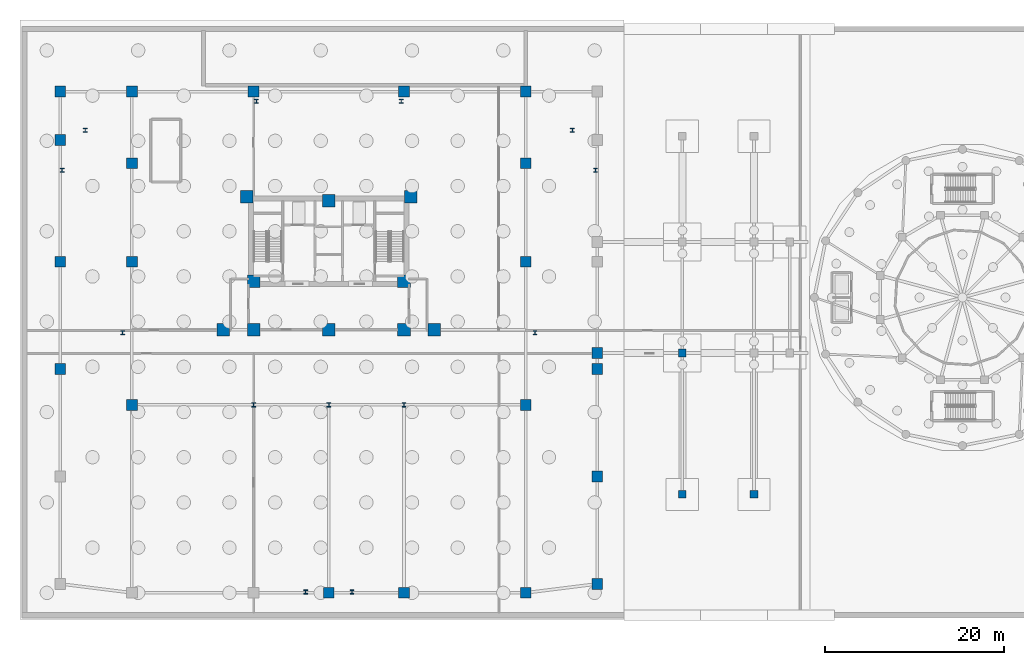
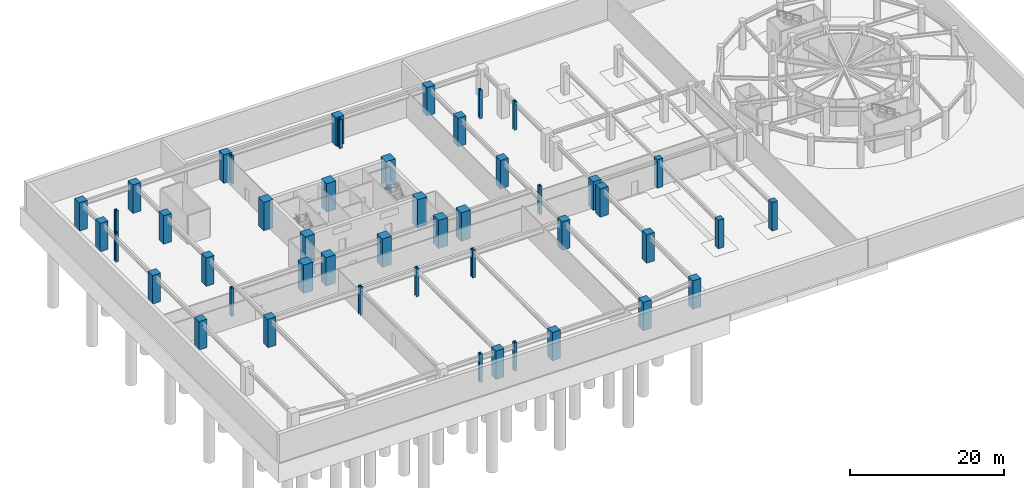
# One storey, part 3 of 15: 47 columns.
"""IFC4 building model written with IfcOpenShell, lengths in metres."""

from ifc_helpers import new_model, si_unit, derived_unit, direction, frame, origin, origin_2d, place, context, subcontext, project, spatial, rectangle, i_section, extrude, source, transform, mapped, material, material_profile, profile_set, type_object, element, save


model = new_model("IFC4")

# Units and contexts
model_context = context("Model", 3, precision=1e-05, world=origin(), true_north=direction((0.0, 1.0)))
body_context = subcontext(model_context, "Body", "Model", "MODEL_VIEW")
ifc_project = project(units=[si_unit("LENGTHUNIT", "METRE"), si_unit("AREAUNIT", "SQUARE_METRE"), si_unit("VOLUMEUNIT", "CUBIC_METRE"), si_unit("PLANEANGLEUNIT", "RADIAN"), si_unit("MASSUNIT", "GRAM", prefix="KILO"), derived_unit("THERMALTRANSMITTANCEUNIT", [(si_unit("POWERUNIT", "WATT"), 1), (si_unit("LENGTHUNIT", "METRE"), -2), (si_unit("THERMODYNAMICTEMPERATUREUNIT", "KELVIN"), -1)])], contexts=[model_context])

# Site, building, storey
site_placement = place(None, origin())
site = spatial("IfcSite", under=ifc_project, at=site_placement, CompositionType="ELEMENT")
building_placement = place(site_placement, origin())
building = spatial("IfcBuilding", under=site, at=building_placement, Name="Korsvarv Bourse and Concert Hall", CompositionType="ELEMENT")
storey_placement = place(building_placement, frame((0.0, 0.0, -9.0)))
storey = spatial("IfcBuildingStorey", under=building, at=storey_placement, Name="B02", CompositionType="ELEMENT", Elevation=-9.0)

# Columns
ifc_material_1 = material(Name="Concrete C60/75", Category="concrete")
ifc_material_profile_1 = material_profile(ifc_material_1, rectangle(XDim=1.39990234375, YDim=1.39990234375, at=origin_2d()), Name="RC 1400x1400")
ifc_profile_set_1 = profile_set([ifc_material_profile_1], Name="Concrete C60/75")
column_type_1 = type_object("IfcColumnType", Name="COL-RC1400", PredefinedType="COLUMN", material=ifc_profile_set_1)
shared_shape_1 = source(origin(), body_context, "Body", "SweptSolid", [
    extrude(rectangle(XDim=1.39990234375, YDim=1.39990234375, at=origin_2d()), origin(), (0.0, 0.0, 1.0), 4.5),
])
for number, where, z_axis, x_axis, name in (
    (1, (26.85009765625, 47.25, 0.0), (0.0, 0.0, 1.0), (1.0, 0.0, 0.0), "B02 column C-01"),
    (2, (45.14990234375, 47.25, 0.0), (0.0, 0.0, 1.0), (1.0, 0.0, 0.0), "B02 column C-01"),
    (3, (27.60009765625, 37.800048828125, 0.0), (0.0, 0.0, 1.0), (1.0, 0.0, 0.0), "B02 column C-01"),
    (4, (44.39990234375, 37.800048828125, 0.0), (0.0, 0.0, 1.0), (1.0, 0.0, 0.0), "B02 column C-01"),
    (5, (27.60009765625, 32.39990234375, 0.0), (0.0, 0.0, 1.0), (1.0, 0.0, 0.0), "B02 column C-01"),
    (6, (44.39990234375, 32.39990234375, 0.0), (0.0, 0.0, 1.0), (1.0, 0.0, 0.0), "B02 column C-01"),
    (7, (36.0, 46.800048828125, 0.0), (0.0, 0.0, 1.0), (1.0, 0.0, 0.0), "B02 column C-01"),
    (8, (36.0, 32.39990234375, 0.0), (0.0, 0.0, 1.0), (1.0, 0.0, 0.0), "B02 column C-01"),
    (9, (24.199951171875, 32.39990234375, 0.0), (0.0, 0.0, 1.0), (1.0, 0.0, 0.0), "B02 column C-01"),
    (10, (47.800048828125, 32.39990234375, 0.0), (0.0, 0.0, 1.0), (1.0, 0.0, 0.0), "B02 column C-01"),
):
    element("IfcColumn", number, at=place(storey_placement, frame(where, z_axis=z_axis, x_axis=x_axis)), inside=storey, type_object=column_type_1, Name=name, PredefinedType="COLUMN", context=body_context, shape_type="MappedRepresentation", body=[
        mapped(shared_shape_1, transform((0.0, 0.0, 0.0), scale=1.0)),
    ])
ifc_material_2 = material(Name="Steel S460", Category="steel")
ifc_material_profile_2 = material_profile(ifc_material_2, i_section(OverallWidth=0.424072265625, OverallDepth=0.47412109375, WebThickness=0.044921875, FlangeThickness=0.072021484375, FilletRadius=0.014892578125, at=origin_2d()), Name="HD 400x634")
ifc_profile_set_2 = profile_set([ifc_material_profile_2], Name="Steel S460")
column_type_2 = type_object("IfcColumnType", Name="COL-HD634", PredefinedType="COLUMN", material=ifc_profile_set_2)
shared_shape_2 = source(origin(), body_context, "Body", "SweptSolid", [
    extrude(i_section(OverallWidth=0.424072265625, OverallDepth=0.47412109375, WebThickness=0.044921875, FlangeThickness=0.072021484375, FilletRadius=0.014892578125, at=origin_2d()), origin(), (0.0, 0.0, 1.0), 4.5),
])
for number, where, z_axis, x_axis, name in (
    (11, (27.60009765625, 24.0, 0.0), (0.0, 0.0, 1.0), (1.0, 0.0, 0.0), "B02 column C-07"),
    (12, (44.39990234375, 24.0, 0.0), (0.0, 0.0, 1.0), (1.0, 0.0, 0.0), "B02 column C-07"),
    (13, (36.0, 24.0, 0.0), (0.0, 0.0, 1.0), (1.0, 0.0, 0.0), "B02 column C-07"),
    (14, (65.78857421875, 50.21728515625, 0.0), (0.0, 0.0, 1.0), (1.0, 0.0, 0.0), "B02 column C-07"),
    (15, (63.206787109375, 54.689208984375, 0.0), (0.0, 0.0, 1.0), (1.0, 0.0, 0.0), "B02 column C-07"),
    (16, (44.097412109375, 57.9169921875, 0.0), (0.0, 0.0, 1.0), (1.0, 0.0, 0.0), "B02 column C-07"),
    (17, (27.902587890625, 57.9169921875, 0.0), (0.0, 0.0, 1.0), (1.0, 0.0, 0.0), "B02 column C-07"),
    (18, (8.793212890625, 54.689208984375, 0.0), (0.0, 0.0, 1.0), (1.0, 0.0, 0.0), "B02 column C-07"),
    (19, (6.21142578125, 50.21728515625, 0.0), (0.0, 0.0, 1.0), (1.0, 0.0, 0.0), "B02 column C-07"),
    (20, (12.970458984375, 32.05419921875, 0.0), (0.0, 0.0, 1.0), (1.0, 0.0, 0.0), "B02 column C-07"),
    (21, (33.418212890625, 3.09375, 0.0), (0.0, 0.0, 1.0), (1.0, 0.0, 0.0), "B02 column C-07"),
    (22, (38.581787109375, 3.09375, 0.0), (0.0, 0.0, 1.0), (1.0, 0.0, 0.0), "B02 column C-07"),
    (23, (59.029541015625, 32.05419921875, 0.0), (0.0, 0.0, 1.0), (1.0, 0.0, 0.0), "B02 column C-07"),
):
    element("IfcColumn", number, at=place(storey_placement, frame(where, z_axis=z_axis, x_axis=x_axis)), inside=storey, type_object=column_type_2, Name=name, PredefinedType="COLUMN", context=body_context, shape_type="MappedRepresentation", body=[
        mapped(shared_shape_2, transform((0.0, 0.0, 0.0), scale=1.0)),
    ])
ifc_material_profile_3 = material_profile(ifc_material_1, rectangle(XDim=1.199951171875, YDim=1.199951171875, at=origin_2d()), Name="RC 1200x1200")
ifc_profile_set_3 = profile_set([ifc_material_profile_3], Name="Concrete C60/75")
column_type_3 = type_object("IfcColumnType", Name="COL-RC1200", PredefinedType="COLUMN", material=ifc_profile_set_3)
shared_shape_3 = source(origin(), body_context, "Body", "SweptSolid", [
    extrude(rectangle(XDim=1.199951171875, YDim=1.199951171875, at=origin_2d()), origin(), (0.0, 0.0, 1.0), 4.5),
])
for number, where, z_axis, x_axis, name in (
    (24, (6.0, 28.0, 0.0), (0.0, 0.0, 1.0), (1.0, 0.0, 0.0), "B02 column C-02"),
    (25, (6.0, 40.0, 0.0), (0.0, 0.0, 1.0), (1.0, 0.0, 0.0), "B02 column C-02"),
    (26, (6.0, 53.60009765625, 0.0), (0.0, 0.0, 1.0), (1.0, 0.0, 0.0), "B02 column C-02"),
    (27, (6.0, 59.0, 0.0), (0.0, 0.0, 1.0), (1.0, 0.0, 0.0), "B02 column C-02"),
    (28, (66.0, 4.0, 0.0), (0.0, 0.0, 1.0), (1.0, 0.0, 0.0), "B02 column C-02"),
    (29, (66.0, 16.0, 0.0), (0.0, 0.0, 1.0), (1.0, 0.0, 0.0), "B02 column C-02"),
    (30, (66.0, 28.0, 0.0), (0.0, 0.0, 1.0), (1.0, 0.0, 0.0), "B02 column C-02"),
    (31, (36.0, 3.0, 0.0), (0.0, 0.0, 1.0), (1.0, 0.0, 0.0), "B02 column C-02"),
    (32, (44.39990234375, 3.0, 0.0), (0.0, 0.0, 1.0), (1.0, 0.0, 0.0), "B02 column C-02"),
    (33, (58.0, 3.0, 0.0), (0.0, 0.0, 1.0), (1.0, 0.0, 0.0), "B02 column C-02"),
    (34, (14.0, 59.0, 0.0), (0.0, 0.0, 1.0), (1.0, 0.0, 0.0), "B02 column C-02"),
    (35, (27.60009765625, 59.0, 0.0), (0.0, 0.0, 1.0), (1.0, 0.0, 0.0), "B02 column C-02"),
    (36, (44.39990234375, 59.0, 0.0), (0.0, 0.0, 1.0), (1.0, 0.0, 0.0), "B02 column C-02"),
    (37, (58.0, 59.0, 0.0), (0.0, 0.0, 1.0), (1.0, 0.0, 0.0), "B02 column C-02"),
    (38, (14.0, 24.0, 0.0), (0.0, 0.0, 1.0), (1.0, 0.0, 0.0), "B02 column C-02"),
    (39, (58.0, 24.0, 0.0), (0.0, 0.0, 1.0), (1.0, 0.0, 0.0), "B02 column C-02"),
    (40, (14.0, 40.0, 0.0), (0.0, 0.0, 1.0), (1.0, 0.0, 0.0), "B02 column C-02"),
    (41, (58.0, 40.0, 0.0), (0.0, 0.0, 1.0), (1.0, 0.0, 0.0), "B02 column C-02"),
    (42, (14.0, 51.0, 0.0), (0.0, 0.0, 1.0), (1.0, 0.0, 0.0), "B02 column C-02"),
    (43, (58.0, 51.0, 0.0), (0.0, 0.0, 1.0), (1.0, 0.0, 0.0), "B02 column C-02"),
    (44, (66.0, 29.800048828125, 0.0), (0.0, 0.0, 1.0), (1.0, 0.0, 0.0), "B02 column C-02"),
):
    element("IfcColumn", number, at=place(storey_placement, frame(where, z_axis=z_axis, x_axis=x_axis)), inside=storey, type_object=column_type_3, Name=name, PredefinedType="COLUMN", context=body_context, shape_type="MappedRepresentation", body=[
        mapped(shared_shape_3, transform((0.0, 0.0, 0.0), scale=1.0)),
    ])
ifc_material_3 = material(Name="Concrete C50/60", Category="concrete")
ifc_material_profile_4 = material_profile(ifc_material_3, rectangle(XDim=0.85009765625, YDim=0.85009765625, at=origin_2d()), Name="RC 850x850")
ifc_profile_set_4 = profile_set([ifc_material_profile_4], Name="Concrete C50/60")
column_type_4 = type_object("IfcColumnType", Name="COL-RC850", PredefinedType="COLUMN", material=ifc_profile_set_4)
shared_shape_4 = source(origin(), body_context, "Body", "SweptSolid", [
    extrude(rectangle(XDim=0.85009765625, YDim=0.85009765625, at=origin_2d()), origin(), (0.0, 0.0, 1.0), 4.5),
])
for number, where, z_axis, x_axis, name in (
    (45, (75.5, 29.800048828125, 0.0), (0.0, 0.0, 1.0), (1.0, 0.0, 0.0), "B02 column C-04"),
    (46, (75.5, 14.0, 0.0), (0.0, 0.0, 1.0), (1.0, 0.0, 0.0), "B02 column C-04"),
    (47, (83.5, 14.0, 0.0), (0.0, 0.0, 1.0), (1.0, 0.0, 0.0), "B02 column C-04"),
):
    element("IfcColumn", number, at=place(storey_placement, frame(where, z_axis=z_axis, x_axis=x_axis)), inside=storey, type_object=column_type_4, Name=name, PredefinedType="COLUMN", context=body_context, shape_type="MappedRepresentation", body=[
        mapped(shared_shape_4, transform((0.0, 0.0, 0.0), scale=1.0)),
    ])

save(model, "model.ifc")
